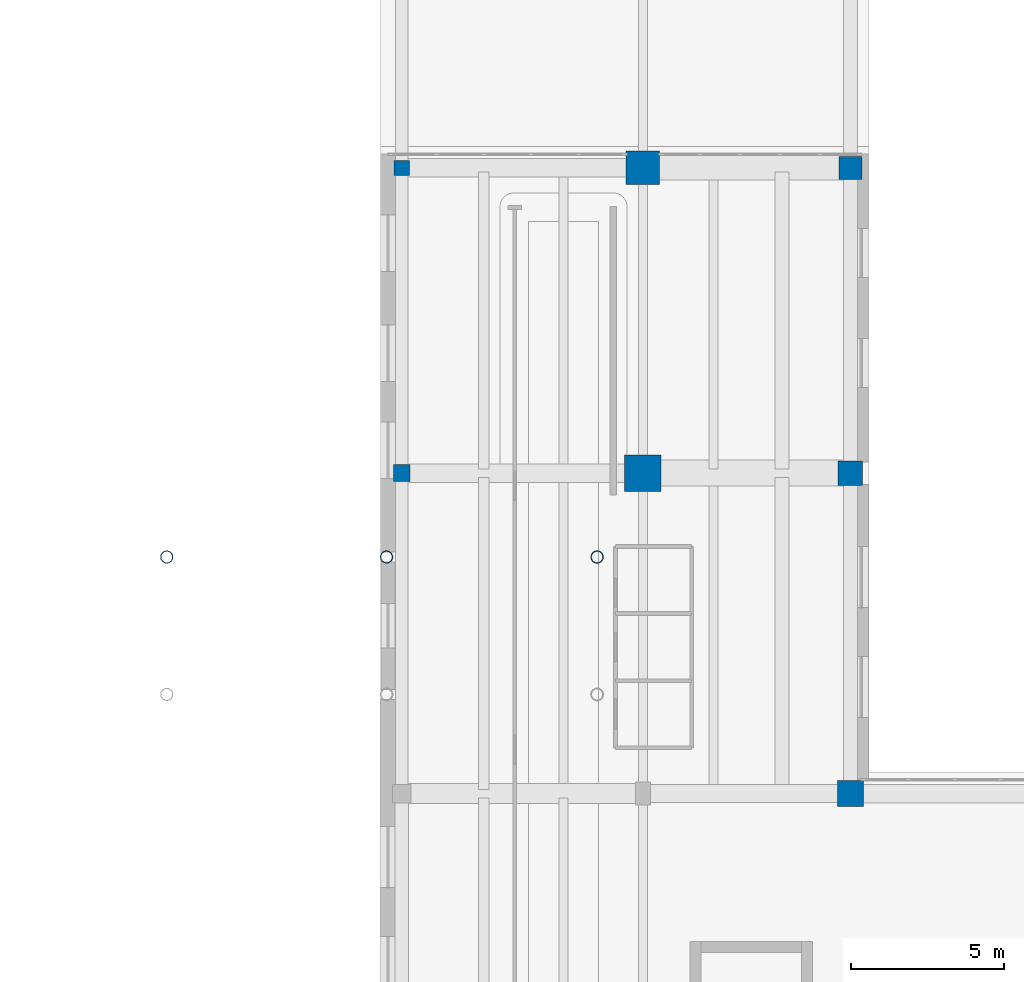
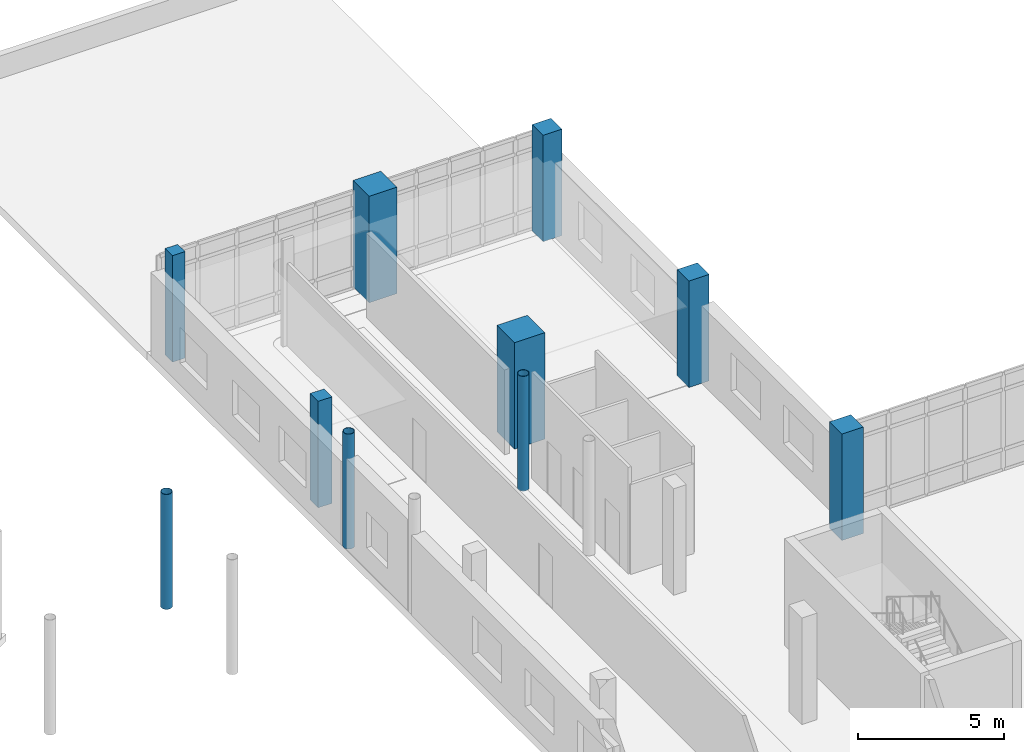
# One storey, part 7 of 89: 10 columns.
"""IFC4 building model written with IfcOpenShell, lengths in metres."""

from ifc_helpers import new_model, si_unit, direction, frame, origin, origin_2d, place, context, subcontext, project, spatial, rectangle, hollow_circle, extrude, material, material_profile, profile_set, type_object, element, save


model = new_model("IFC4")

# Units and contexts
model_context = context("Model", 3, precision=1e-05, world=origin(), true_north=direction((0.0, 1.0)))
body_context = subcontext(model_context, "Body", "Model", "MODEL_VIEW")
ifc_project = project(units=[si_unit("LENGTHUNIT", "METRE"), si_unit("AREAUNIT", "SQUARE_METRE"), si_unit("VOLUMEUNIT", "CUBIC_METRE"), si_unit("PLANEANGLEUNIT", "RADIAN"), si_unit("MASSUNIT", "GRAM", prefix="KILO")], contexts=[model_context])

# Site, building, storey
site_placement = place(None, origin())
site = spatial("IfcSite", under=ifc_project, at=site_placement, CompositionType="ELEMENT")
building_placement = place(site_placement, origin())
building = spatial("IfcBuilding", under=site, at=building_placement, Name="Soyqirgoq Riverine Aquarium", CompositionType="ELEMENT")
storey_placement = place(building_placement, frame((0.0, 0.0, 5.39990234375)))
storey = spatial("IfcBuildingStorey", under=building, at=storey_placement, Name="L02", CompositionType="ELEMENT", Elevation=5.39990234375)

# Columns
ifc_material_1 = material(Name="Waterproof concrete C45/55", Category="concrete")
ifc_material_profile_1 = material_profile(ifc_material_1, rectangle(XDim=1.10009765625, YDim=1.10009765625, at=origin_2d()), Name="RC 1100x1100")
ifc_profile_set_1 = profile_set([ifc_material_profile_1], Name="Waterproof concrete C45/55")
column_type_1 = type_object("IfcColumnType", Name="Col_RC_1100x1100", PredefinedType="COLUMN", material=ifc_profile_set_1)
column_1_placement = place(storey_placement, frame((122.60009765625, 94.800048828125, 0.0), z_axis=(0.0, 0.0, 1.0), x_axis=(1.0, 0.0, 0.0)))
element("IfcColumn", 1, at=column_1_placement, inside=storey, type_object=column_type_1, Name="V7 Column V7-C-12 L02", PredefinedType="COLUMN", context=body_context, shape_type="SweptSolid", body=[
    extrude(rectangle(XDim=1.10009765625, YDim=1.10009765625, at=origin_2d()), origin(), (0.0, 0.0, 1.0), 4.4501953125),
])
ifc_material_2 = material(Name="Waterproof concrete C45/55", Category="concrete")
ifc_material_profile_2 = material_profile(ifc_material_2, rectangle(XDim=1.199951171875, YDim=1.199951171875, at=origin_2d()), Name="RC 1200x1200")
ifc_profile_set_2 = profile_set([ifc_material_profile_2], Name="Waterproof concrete C45/55")
column_type_2 = type_object("IfcColumnType", Name="Col_RC_1200x1200", PredefinedType="COLUMN", material=ifc_profile_set_2)
column_2_placement = place(storey_placement, frame((122.60009765625, 84.800048828125, 0.0), z_axis=(0.0, 0.0, 1.0), x_axis=(1.0, 0.0, 0.0)))
element("IfcColumn", 2, at=column_2_placement, inside=storey, type_object=column_type_2, Name="V7 Column V7-C-11 L02", PredefinedType="COLUMN", context=body_context, shape_type="SweptSolid", body=[
    extrude(rectangle(XDim=1.199951171875, YDim=1.199951171875, at=origin_2d()), origin(), (0.0, 0.0, 1.0), 4.4501953125),
])
ifc_material_3 = material(Name="Concrete C40/50", Category="concrete")
ifc_material_profile_3 = material_profile(ifc_material_3, rectangle(XDim=0.5, YDim=0.5, at=origin_2d()), Name="RC 500x500")
ifc_profile_set_3 = profile_set([ifc_material_profile_3], Name="Concrete C40/50")
column_type_3 = type_object("IfcColumnType", Name="Col_RC_500x500", PredefinedType="COLUMN", material=ifc_profile_set_3)
column_3_placement = place(storey_placement, frame((114.699951171875, 94.800048828125, 0.0), z_axis=(0.0, 0.0, 1.0), x_axis=(1.0, 0.0, 0.0)))
element("IfcColumn", 3, at=column_3_placement, inside=storey, type_object=column_type_3, Name="V7 Column V7-C-05 L02", PredefinedType="COLUMN", context=body_context, shape_type="SweptSolid", body=[
    extrude(rectangle(XDim=0.5, YDim=0.5, at=origin_2d()), origin(), (0.0, 0.0, 1.0), 4.4501953125),
])
ifc_material_4 = material(Name="Concrete C40/50", Category="concrete")
ifc_material_profile_4 = material_profile(ifc_material_4, rectangle(XDim=0.550048828125, YDim=0.550048828125, at=origin_2d()), Name="RC 550x550")
ifc_profile_set_4 = profile_set([ifc_material_profile_4], Name="Concrete C40/50")
column_type_4 = type_object("IfcColumnType", Name="Col_RC_550x550", PredefinedType="COLUMN", material=ifc_profile_set_4)
column_4_placement = place(storey_placement, frame((114.699951171875, 84.800048828125, 0.0), z_axis=(0.0, 0.0, 1.0), x_axis=(1.0, 0.0, 0.0)))
element("IfcColumn", 4, at=column_4_placement, inside=storey, type_object=column_type_4, Name="V7 Column V7-C-04 L02", PredefinedType="COLUMN", context=body_context, shape_type="SweptSolid", body=[
    extrude(rectangle(XDim=0.550048828125, YDim=0.550048828125, at=origin_2d()), origin(), (0.0, 0.0, 1.0), 4.4501953125),
])
ifc_material_5 = material(Name="Concrete C40/50", Category="concrete")
ifc_material_profile_5 = material_profile(ifc_material_5, rectangle(XDim=0.75, YDim=0.75, at=origin_2d()), Name="RC 750x750")
ifc_profile_set_5 = profile_set([ifc_material_profile_5], Name="Concrete C40/50")
column_type_5 = type_object("IfcColumnType", Name="Col_RC_750x750", PredefinedType="COLUMN", material=ifc_profile_set_5)
column_5_placement = place(storey_placement, frame((129.39990234375, 94.800048828125, 0.0), z_axis=(0.0, 0.0, 1.0), x_axis=(1.0, 0.0, 0.0)))
element("IfcColumn", 5, at=column_5_placement, inside=storey, type_object=column_type_5, Name="V7 Column V7-C-18 L02", PredefinedType="COLUMN", context=body_context, shape_type="SweptSolid", body=[
    extrude(rectangle(XDim=0.75, YDim=0.75, at=origin_2d()), origin(), (0.0, 0.0, 1.0), 4.4501953125),
])
ifc_material_6 = material(Name="Concrete C40/50", Category="concrete")
ifc_material_profile_6 = material_profile(ifc_material_6, rectangle(XDim=0.800048828125, YDim=0.800048828125, at=origin_2d()), Name="RC 800x800")
ifc_profile_set_6 = profile_set([ifc_material_profile_6], Name="Concrete C40/50")
column_type_6 = type_object("IfcColumnType", Name="Col_RC_800x800", PredefinedType="COLUMN", material=ifc_profile_set_6)
column_6_placement = place(storey_placement, frame((129.39990234375, 84.800048828125, 0.0), z_axis=(0.0, 0.0, 1.0), x_axis=(1.0, 0.0, 0.0)))
element("IfcColumn", 6, at=column_6_placement, inside=storey, type_object=column_type_6, Name="V7 Column V7-C-17 L02", PredefinedType="COLUMN", context=body_context, shape_type="SweptSolid", body=[
    extrude(rectangle(XDim=0.800048828125, YDim=0.800048828125, at=origin_2d()), origin(), (0.0, 0.0, 1.0), 4.4501953125),
])
ifc_material_7 = material(Name="Concrete C40/50", Category="concrete")
ifc_material_profile_7 = material_profile(ifc_material_7, rectangle(XDim=0.85009765625, YDim=0.85009765625, at=origin_2d()), Name="RC 850x850")
ifc_profile_set_7 = profile_set([ifc_material_profile_7], Name="Concrete C40/50")
column_type_7 = type_object("IfcColumnType", Name="Col_RC_850x850", PredefinedType="COLUMN", material=ifc_profile_set_7)
column_7_placement = place(storey_placement, frame((129.39990234375, 74.300048828125, 0.0), z_axis=(0.0, 0.0, 1.0), x_axis=(1.0, 0.0, 0.0)))
element("IfcColumn", 7, at=column_7_placement, inside=storey, type_object=column_type_7, Name="V7 Column V7-C-16 L02", PredefinedType="COLUMN", context=body_context, shape_type="SweptSolid", body=[
    extrude(rectangle(XDim=0.85009765625, YDim=0.85009765625, at=origin_2d()), origin(), (0.0, 0.0, 1.0), 4.4501953125),
])
ifc_material_8 = material(Name="Structural steel S355", Category="steel")
ifc_material_profile_8 = material_profile(ifc_material_8, hollow_circle(Radius=0.203125, WallThickness=0.01611328125, at=origin_2d()), Name="CHS 406.4x16")
ifc_profile_set_8 = profile_set([ifc_material_profile_8], Name="Structural steel S355")
column_type_8 = type_object("IfcColumnType", Name="Col_Steel_CHS406", PredefinedType="COLUMN", material=ifc_profile_set_8)
for number, where, z_axis, x_axis, name in (
    (8, (107.0, 82.050048828125, 0.0), (0.0, 0.0, 1.0), (1.0, 0.0, 0.0), "Bridge Pier Column BR-2-CP-107-N L02"),
    (9, (114.199951171875, 82.050048828125, 0.0), (0.0, 0.0, 1.0), (1.0, 0.0, 0.0), "Bridge Pier Column BR-2-CP-114-N L02"),
    (10, (121.10009765625, 82.050048828125, 0.0), (0.0, 0.0, 1.0), (1.0, 0.0, 0.0), "Bridge Pier Column BR-2-CP-121-N L02"),
):
    element("IfcColumn", number, at=place(storey_placement, frame(where, z_axis=z_axis, x_axis=x_axis)), inside=storey, type_object=column_type_8, Name=name, PredefinedType="COLUMN", context=body_context, shape_type="SweptSolid", body=[
        extrude(hollow_circle(Radius=0.203125, WallThickness=0.01611328125, at=origin_2d()), origin(), (0.0, 0.0, 1.0), 4.800048828125),
    ])

save(model, "model.ifc")
